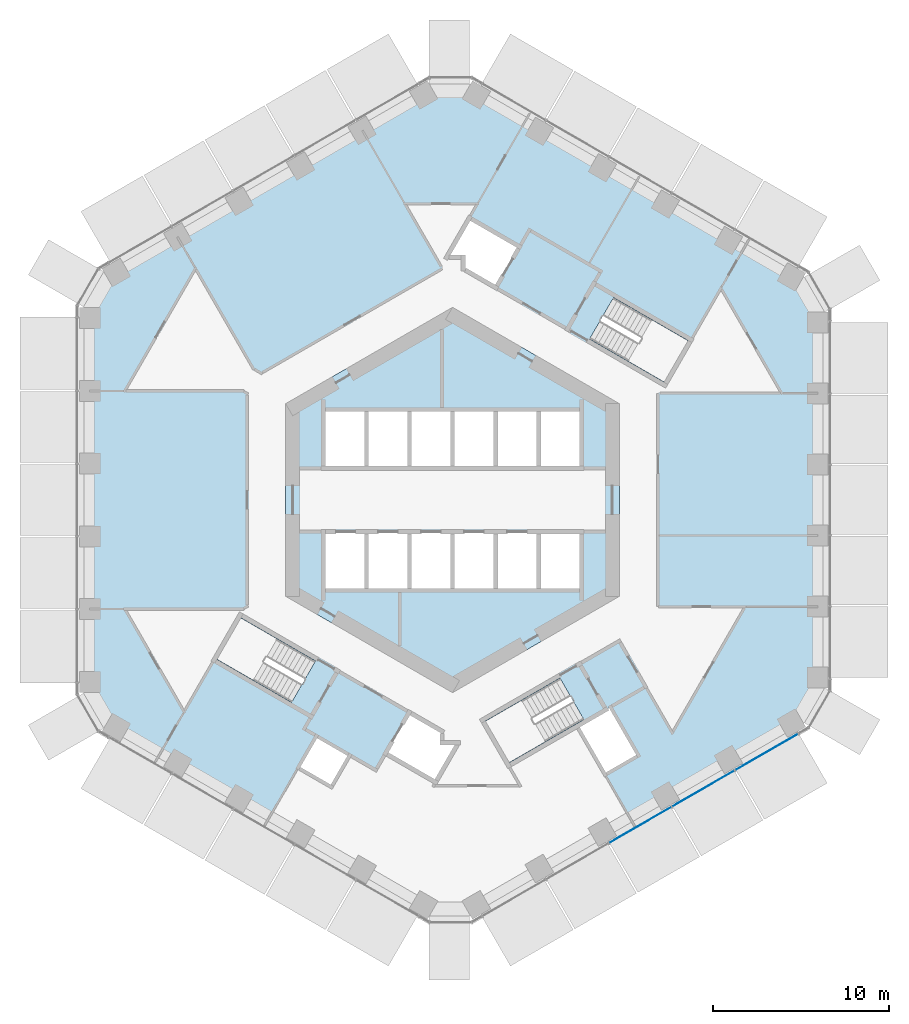
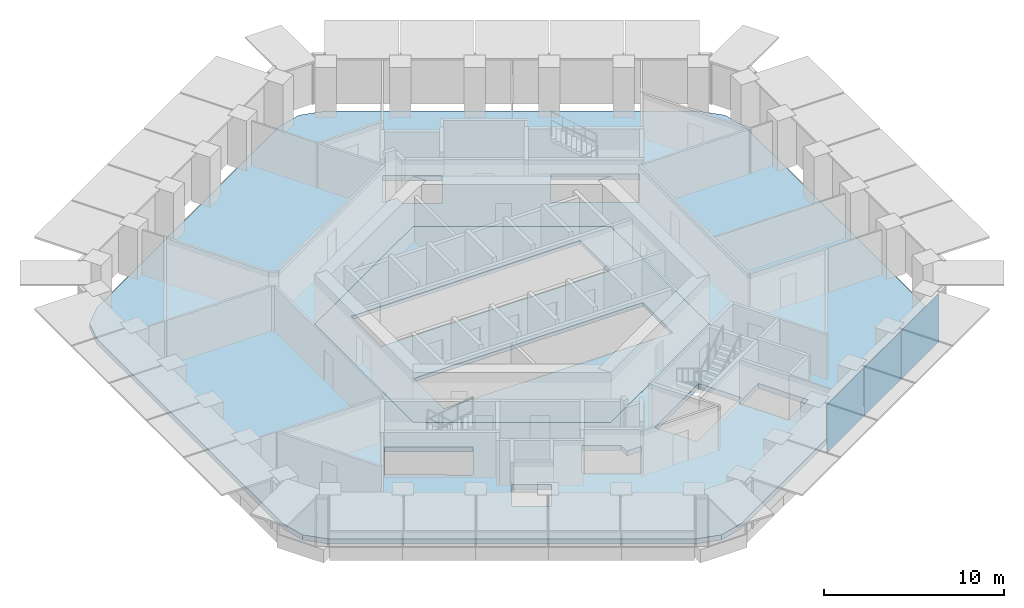
# One storey, part 9 of 19: 3 plates, 2 slabs, 1 element without a shape of its own.
"""IFC4 building model written with IfcOpenShell, lengths in metres."""

from ifc_helpers import new_model, si_unit, direction, frame, origin, origin_2d, place, context, subcontext, project, spatial, polyline, rectangle, outline, extrude, material, layer, layer_set, type_object, element, aggregate, save


model = new_model("IFC4")

# Units and contexts
model_context = context("Model", 3, precision=1e-05, world=origin(), true_north=direction((0.0, 1.0)))
body_context = subcontext(model_context, "Body", "Model", "MODEL_VIEW")
ifc_project = project(units=[si_unit("LENGTHUNIT", "METRE"), si_unit("AREAUNIT", "SQUARE_METRE"), si_unit("VOLUMEUNIT", "CUBIC_METRE"), si_unit("PLANEANGLEUNIT", "RADIAN"), si_unit("MASSUNIT", "GRAM", prefix="KILO")], contexts=[model_context])

# Site, building, storey
site_placement = place(None, origin())
site = spatial("IfcSite", under=ifc_project, at=site_placement, CompositionType="ELEMENT")
building_placement = place(site_placement, origin())
building = spatial("IfcBuilding", under=site, at=building_placement, Name="Ayvan Gate Tower", CompositionType="ELEMENT")
storey_placement = place(building_placement, frame((0.0, 0.0, 32.300048828125)))
storey = spatial("IfcBuildingStorey", under=building, at=storey_placement, Name="L07", CompositionType="ELEMENT", Elevation=32.300048828125)

# Slabs
ifc_material_1 = material(Name="Concrete C40/50", Category="concrete")
ifc_layer_1 = layer(ifc_material_1, 0.35009765625)
ifc_layer_set_1 = layer_set([ifc_layer_1], Name="Concrete C40/50")
slab_type_1 = type_object("IfcSlabType", Name="Post-tensioned flat slab 350", PredefinedType="FLOOR", material=ifc_layer_set_1)
slab_1_placement = place(storey_placement, frame((0.0, 0.0, -0.35009765625)))
element("IfcSlab", 1, at=slab_1_placement, inside=storey, type_object=slab_type_1, Name="SL-L07", PredefinedType="FLOOR", context=body_context, shape_type="SweptSolid", body=[
    extrude(outline(polyline([(-1.61865234375, -23.0654296875), (-19.166015625, -12.9345703125), (-20.263916015625, -11.83642578125), (-20.666015625, -10.33642578125), (-20.666015625, 10.33642578125), (-20.263916015625, 11.83642578125), (-19.166015625, 12.9345703125), (-1.61865234375, 23.0654296875), (-0.11865234375, 23.46728515625), (1.38134765625, 23.0654296875), (19.28466796875, 12.72900390625), (20.382568359375, 11.630859375), (20.78466796875, 10.130859375), (20.78466796875, -10.130859375), (20.382568359375, -11.630859375), (19.28466796875, -12.72900390625), (1.38134765625, -23.0654296875), (-0.11865234375, -23.46728515625), (-1.61865234375, -23.0654296875)]), holes=[polyline([(9.1611328125, 11.517578125), (7.80615234375, 9.170654296875), (12.049560546875, 6.720458984375), (13.404541015625, 9.0673828125), (9.1611328125, 11.517578125)]), polyline([(8.995361328125, -11.780517578125), (8.735595703125, -11.9306640625), (7.090087890625, -12.880615234375), (8.498046875, -15.319091796875), (8.690185546875, -15.65185546875), (10.595458984375, -14.5517578125), (8.995361328125, -11.780517578125)]), polyline([(-9.5, 5.48486328125), (-9.5, -5.48486328125), (0.0, -10.9697265625), (9.5, -5.48486328125), (9.5, 5.48486328125), (0.0, 10.9697265625), (-9.5, 5.48486328125)]), polyline([(7.472412109375, -12.492431640625), (6.117431640625, -10.1455078125), (1.873779296875, -12.595458984375), (3.228759765625, -14.9423828125), (7.472412109375, -12.492431640625)]), polyline([(3.822509765625, 14.420654296875), (0.964599609375, 16.07080078125), (-0.340576171875, 13.81005859375), (0.60009765625, 13.81005859375), (0.60009765625, 13.16357421875), (2.472412109375, 12.08251953125), (3.822509765625, 14.420654296875)]), polyline([(-0.60009765625, -13.81005859375), (-0.60009765625, -13.16357421875), (-2.472412109375, -12.08251953125), (-3.822509765625, -14.420654296875), (-0.964599609375, -16.07080078125), (0.340576171875, -13.81005859375), (-0.60009765625, -13.81005859375)]), polyline([(-8.800048828125, -15.241943359375), (-7.321533203125, -16.095703125), (-6.894775390625, -16.342041015625), (-5.8447265625, -14.5234375), (-7.75, -13.42333984375), (-8.800048828125, -15.241943359375)]), polyline([(-12.049560546875, -6.720458984375), (-13.404541015625, -9.0673828125), (-9.1611328125, -11.517578125), (-7.80615234375, -9.170654296875), (-12.049560546875, -6.720458984375)])]), origin(), (0.0, 0.0, 1.0), 0.35009765625),
])
ifc_layer_2 = layer(ifc_material_1, 0.25)
ifc_layer_set_2 = layer_set([ifc_layer_2], Name="Concrete C40/50")
slab_type_2 = type_object("IfcSlabType", Name="SL-CORE-250", PredefinedType="FLOOR", material=ifc_layer_set_2)
slab_2_placement = place(storey_placement, frame((0.0, 0.0, -0.25)))
element("IfcSlab", 2, at=slab_2_placement, inside=storey, type_object=slab_type_2, Name="CS-L07", PredefinedType="FLOOR", context=body_context, shape_type="SweptSolid", body=[
    extrude(outline(polyline([(9.5, -5.48486328125), (0.0, -10.9697265625), (-9.5, -5.48486328125), (-9.5, 5.48486328125), (0.0, 10.9697265625), (9.5, 5.48486328125), (9.5, -5.48486328125)]), holes=[polyline([(-7.35009765625, -1.800048828125), (-7.35009765625, -5.14990234375), (7.35009765625, -5.14990234375), (7.35009765625, -1.800048828125), (-7.35009765625, -1.800048828125)]), polyline([(-7.35009765625, 5.14990234375), (-7.35009765625, 1.800048828125), (7.35009765625, 1.800048828125), (7.35009765625, 5.14990234375), (-7.35009765625, 5.14990234375)])]), origin(), (0.0, 0.0, 1.0), 0.25),
])

# Curtain wall, plates
ifc_material_2 = material(Name="Bronze anodised aluminium", Category="aluminium")
ifc_layer_3 = layer(ifc_material_2, 0.199951171875)
ifc_layer_set_3 = layer_set([ifc_layer_3], Name="Bronze anodised aluminium")
curtain_wall_type = type_object("IfcCurtainWallType", Name="Stick curtain wall CW-1", PredefinedType="NOTDEFINED", material=ifc_layer_set_3)
curtain_wall_placement = place(storey_placement, origin())
curtain_wall = element("IfcCurtainWall", 3, at=curtain_wall_placement, inside=storey, type_object=curtain_wall_type, Name="Stick curtain wall CW-1 L07", PredefinedType="NOTDEFINED")
ifc_material_3 = material(Name="Clear low-iron laminated glass", Category="glass")
ifc_layer_4 = layer(ifc_material_3, 0.028076171875)
ifc_layer_set_4 = layer_set([ifc_layer_4], Name="Clear low-iron laminated glass")
plate_type = type_object("IfcPlateType", Name="Stick curtain wall CW-1 glass panel", PredefinedType="CURTAIN_PANEL", material=ifc_layer_set_4)
plate_1_placement = place(storey_placement, frame((10.682861328125, -18.50341796875, 0.0), z_axis=(0.0, 0.0, 1.0), x_axis=(0.866025403784, 0.5, 0.0)))
plate_1 = element("IfcPlate", 4, at=plate_1_placement, type_object=plate_type, Name="CW-1 glass panel 3", PredefinedType="CURTAIN_PANEL", context=body_context, shape_type="SweptSolid", body=[
    extrude(rectangle(XDim=4.0810546875, YDim=0.028076171875, at=origin_2d()), origin(), (0.0, 0.0, 1.0), 3.280029296875),
])
plate_2_placement = place(storey_placement, frame((14.26953125, -16.432861328125, 0.0), z_axis=(0.0, 0.0, 1.0), x_axis=(0.866025403784, 0.5, 0.0)))
plate_2 = element("IfcPlate", 5, at=plate_2_placement, type_object=plate_type, Name="CW-1 glass panel 4", PredefinedType="CURTAIN_PANEL", context=body_context, shape_type="SweptSolid", body=[
    extrude(rectangle(XDim=4.08203125, YDim=0.028076171875, at=origin_2d()), origin(), (0.0, 0.0, 1.0), 3.280029296875),
])
plate_3_placement = place(storey_placement, frame((17.888671875, -14.34326171875, 0.0), z_axis=(0.0, 0.0, 1.0), x_axis=(0.866025403784, 0.5, 0.0)))
plate_3 = element("IfcPlate", 6, at=plate_3_placement, type_object=plate_type, Name="CW-1 glass panel 5", PredefinedType="CURTAIN_PANEL", context=body_context, shape_type="SweptSolid", body=[
    extrude(rectangle(XDim=4.15625, YDim=0.028076171875, at=origin_2d()), origin(), (0.0, 0.0, 1.0), 3.280029296875),
])
aggregate(curtain_wall, [plate_1, plate_2, plate_3])

save(model, "model.ifc")
